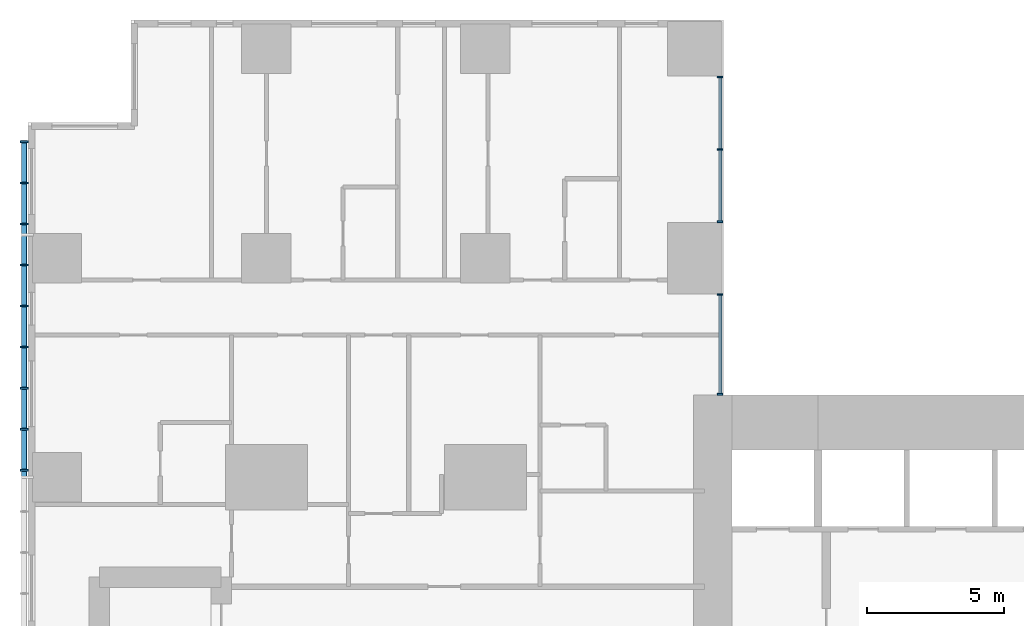
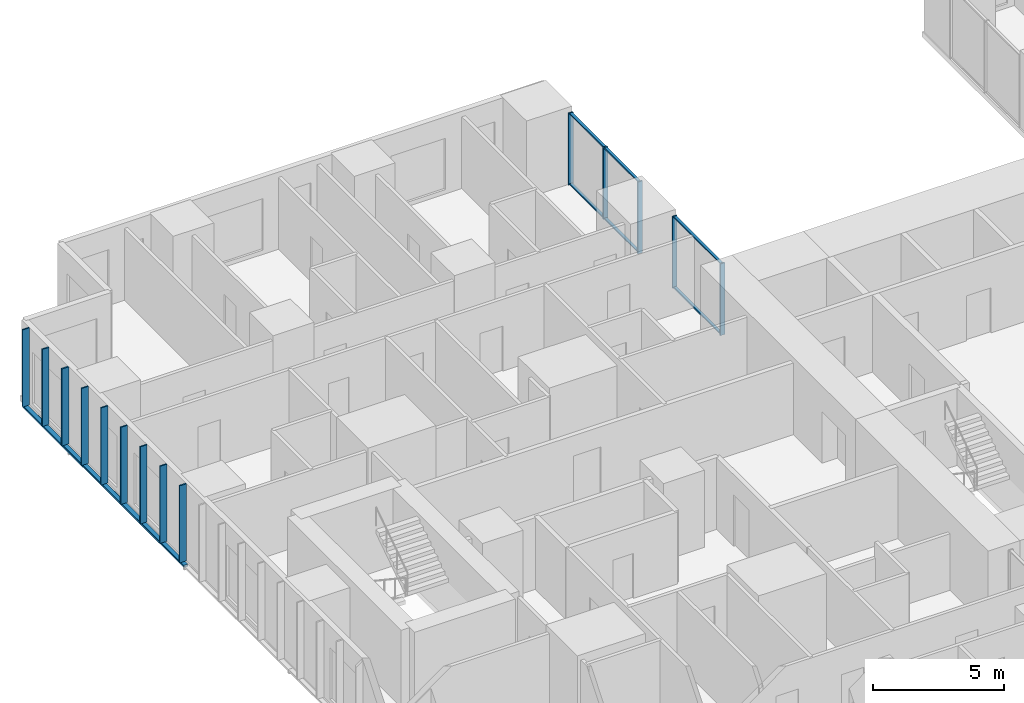
# One storey, part 4 of 20: 21 members, 2 elements without a shape of their own.
"""IFC4 building model written with IfcOpenShell, lengths in metres."""

from ifc_helpers import new_model, si_unit, direction, frame, origin, origin_2d, place, context, subcontext, project, spatial, rectangle, hollow_rectangle, extrude, material, layer, layer_set, material_profile, profile_set, type_object, element, aggregate, save


model = new_model("IFC4")

# Units and contexts
model_context = context("Model", 3, precision=1e-05, world=origin(), true_north=direction((0.0, 1.0)))
body_context = subcontext(model_context, "Body", "Model", "MODEL_VIEW")
ifc_project = project(units=[si_unit("LENGTHUNIT", "METRE"), si_unit("AREAUNIT", "SQUARE_METRE"), si_unit("VOLUMEUNIT", "CUBIC_METRE"), si_unit("PLANEANGLEUNIT", "RADIAN"), si_unit("MASSUNIT", "GRAM", prefix="KILO")], contexts=[model_context])

# Site, building, storey
site_placement = place(None, origin())
site = spatial("IfcSite", under=ifc_project, at=site_placement, CompositionType="ELEMENT")
building_placement = place(site_placement, origin())
building = spatial("IfcBuilding", under=site, at=building_placement, Name="Cleftline Residences", CompositionType="ELEMENT")
storey_placement = place(building_placement, frame((0.0, 0.0, 203.800048828125)))
storey = spatial("IfcBuildingStorey", under=building, at=storey_placement, Name="L53", CompositionType="ELEMENT", Elevation=203.800048828125)

# Member
ifc_material_1 = material(Name="Steel S355, hot-dip galvanised", Category="steel")
ifc_material_profile_1 = material_profile(ifc_material_1, hollow_rectangle(XDim=0.10009765625, YDim=0.199951171875, WallThickness=0.008056640625, InnerFilletRadius=0.008056640625, OuterFilletRadius=0.011962890625, at=origin_2d()))
ifc_profile_set_1 = profile_set([ifc_material_profile_1], Name="Steel S355, hot-dip galvanised")
member_type_1 = type_object("IfcMemberType", Name="BAGUETTE CARRIER RHS 200X100X8", PredefinedType="USERDEFINED", material=ifc_profile_set_1)
member_1_placement = place(storey_placement, frame((-0.85009765625, 44.300048828125, -0.050048828125), z_axis=(0.0, -1.0, 0.0), x_axis=(0.0, 0.0, 1.0)))
element("IfcMember", 1, at=member_1_placement, inside=storey, type_object=member_type_1, Name="Baguette carrier", ObjectType="BAGUETTE CARRIER", PredefinedType="USERDEFINED", context=body_context, shape_type="SweptSolid", body=[
    extrude(hollow_rectangle(XDim=0.10009765625, YDim=0.199951171875, WallThickness=0.008056640625, InnerFilletRadius=0.008056640625, OuterFilletRadius=0.011962890625, at=origin_2d()), origin(), (0.0, 0.0, 1.0), 12.300048828125),
])

# Curtain wall, members
ifc_material_2 = material(Name="Aluminium framed curtain wall", Category="aluminium")
ifc_layer = layer(ifc_material_2, 0.199951171875)
ifc_layer_set = layer_set([ifc_layer], Name="CW1 CLEFT GLAZING")
curtain_wall_type = type_object("IfcCurtainWallType", Name="CW1 CLEFT GLAZING", PredefinedType="NOTDEFINED", material=ifc_layer_set)
curtain_wall_1_placement = place(storey_placement, origin())
curtain_wall_1 = element("IfcCurtainWall", 2, at=curtain_wall_1_placement, inside=storey, type_object=curtain_wall_type, Name="Curtain wall CW1", PredefinedType="NOTDEFINED")
ifc_material_3 = material(Name="Aluminium mullion", Category="aluminium")
ifc_material_profile_2 = material_profile(ifc_material_3, rectangle(XDim=0.199951171875, YDim=0.06005859375, at=origin_2d()))
ifc_profile_set_2 = profile_set([ifc_material_profile_2], Name="Aluminium mullion")
member_type_2 = type_object("IfcMemberType", Name="CW1 MULLION", PredefinedType="MULLION", material=ifc_profile_set_2)
member_2_placement = place(storey_placement, frame((24.574951171875, 35.030029296875, 0.0), z_axis=(0.0, 0.0, 1.0), x_axis=(-1.0, 0.0, 0.0)))
member_2 = element("IfcMember", 3, at=member_2_placement, type_object=member_type_2, Name="CW1 mullion 1", PredefinedType="MULLION", context=body_context, shape_type="SweptSolid", body=[
    extrude(rectangle(XDim=0.199951171875, YDim=0.06005859375, at=origin_2d()), origin(), (0.0, 0.0, 1.0), 3.349853515625),
])
member_3_placement = place(storey_placement, frame((24.574951171875, 38.669921875, 0.0), z_axis=(0.0, 0.0, 1.0), x_axis=(-1.0, 0.0, 0.0)))
member_3 = element("IfcMember", 4, at=member_3_placement, type_object=member_type_2, Name="CW1 mullion 2", PredefinedType="MULLION", context=body_context, shape_type="SweptSolid", body=[
    extrude(rectangle(XDim=0.199951171875, YDim=0.06005859375, at=origin_2d()), origin(), (0.0, 0.0, 1.0), 3.349853515625),
])

curtain_wall_2_placement = place(storey_placement, origin())
curtain_wall_2 = element("IfcCurtainWall", 5, at=curtain_wall_2_placement, inside=storey, type_object=curtain_wall_type, Name="Curtain wall CW1", PredefinedType="NOTDEFINED")
member_4_placement = place(storey_placement, frame((24.574951171875, 41.330078125, 0.0), z_axis=(0.0, 0.0, 1.0), x_axis=(-1.0, 0.0, 0.0)))
member_4 = element("IfcMember", 6, at=member_4_placement, type_object=member_type_2, Name="CW1 mullion 1", PredefinedType="MULLION", context=body_context, shape_type="SweptSolid", body=[
    extrude(rectangle(XDim=0.199951171875, YDim=0.06005859375, at=origin_2d()), origin(), (0.0, 0.0, 1.0), 3.349853515625),
])
member_5_placement = place(storey_placement, frame((24.574951171875, 43.97509765625, 0.0), z_axis=(0.0, 0.0, 1.0), x_axis=(-1.0, 0.0, 0.0)))
member_5 = element("IfcMember", 7, at=member_5_placement, type_object=member_type_2, Name="CW1 mullion 2", PredefinedType="MULLION", context=body_context, shape_type="SweptSolid", body=[
    extrude(rectangle(XDim=0.199951171875, YDim=0.06005859375, at=origin_2d()), origin(), (0.0, 0.0, 1.0), 3.349853515625),
])
member_6_placement = place(storey_placement, frame((24.574951171875, 46.6201171875, 0.0), z_axis=(0.0, 0.0, 1.0), x_axis=(-1.0, 0.0, 0.0)))
member_6 = element("IfcMember", 8, at=member_6_placement, type_object=member_type_2, Name="CW1 mullion 3", PredefinedType="MULLION", context=body_context, shape_type="SweptSolid", body=[
    extrude(rectangle(XDim=0.199951171875, YDim=0.06005859375, at=origin_2d()), origin(), (0.0, 0.0, 1.0), 3.349853515625),
])

# Member
ifc_material_4 = material(Name="Aluminium transom", Category="aluminium")
ifc_material_profile_3 = material_profile(ifc_material_4, rectangle(XDim=0.1201171875, YDim=0.06005859375, at=origin_2d()))
ifc_profile_set_3 = profile_set([ifc_material_profile_3], Name="Aluminium transom")
member_type_3 = type_object("IfcMemberType", Name="CW1 TRANSOM", PredefinedType="USERDEFINED", material=ifc_profile_set_3)
member_7_placement = place(storey_placement, frame((24.574951171875, 35.06005859375, 0.030029296875), z_axis=(0.0, 1.0, 0.0), x_axis=(-1.0, 0.0, 0.0)))
member_7 = element("IfcMember", 9, at=member_7_placement, type_object=member_type_3, Name="CW1 transom 1.1", ObjectType="TRANSOM", PredefinedType="USERDEFINED", context=body_context, shape_type="SweptSolid", body=[
    extrude(rectangle(XDim=0.1201171875, YDim=0.06005859375, at=origin_2d()), origin(), (0.0, 0.0, 1.0), 3.579833984375),
])

member_8_placement = place(storey_placement, frame((24.574951171875, 35.06005859375, 3.320068359375), z_axis=(0.0, 1.0, 0.0), x_axis=(-1.0, 0.0, 0.0)))
member_8 = element("IfcMember", 10, at=member_8_placement, type_object=member_type_3, Name="CW1 transom 1.2", ObjectType="TRANSOM", PredefinedType="USERDEFINED", context=body_context, shape_type="SweptSolid", body=[
    extrude(rectangle(XDim=0.1201171875, YDim=0.06005859375, at=origin_2d()), origin(), (0.0, 0.0, 1.0), 3.579833984375),
])

aggregate(curtain_wall_1, [member_2, member_3, member_7, member_8])

member_9_placement = place(storey_placement, frame((24.574951171875, 41.360107421875, 0.030029296875), z_axis=(0.0, 1.0, 0.0), x_axis=(-1.0, 0.0, 0.0)))
member_9 = element("IfcMember", 11, at=member_9_placement, type_object=member_type_3, Name="CW1 transom 1.1", ObjectType="TRANSOM", PredefinedType="USERDEFINED", context=body_context, shape_type="SweptSolid", body=[
    extrude(rectangle(XDim=0.1201171875, YDim=0.06005859375, at=origin_2d()), origin(), (0.0, 0.0, 1.0), 2.5849609375),
])

member_10_placement = place(storey_placement, frame((24.574951171875, 41.360107421875, 3.320068359375), z_axis=(0.0, 1.0, 0.0), x_axis=(-1.0, 0.0, 0.0)))
member_10 = element("IfcMember", 12, at=member_10_placement, type_object=member_type_3, Name="CW1 transom 1.2", ObjectType="TRANSOM", PredefinedType="USERDEFINED", context=body_context, shape_type="SweptSolid", body=[
    extrude(rectangle(XDim=0.1201171875, YDim=0.06005859375, at=origin_2d()), origin(), (0.0, 0.0, 1.0), 2.5849609375),
])

member_11_placement = place(storey_placement, frame((24.574951171875, 44.0048828125, 0.030029296875), z_axis=(0.0, 1.0, 0.0), x_axis=(-1.0, 0.0, 0.0)))
member_11 = element("IfcMember", 13, at=member_11_placement, type_object=member_type_3, Name="CW1 transom 2.1", ObjectType="TRANSOM", PredefinedType="USERDEFINED", context=body_context, shape_type="SweptSolid", body=[
    extrude(rectangle(XDim=0.1201171875, YDim=0.06005859375, at=origin_2d()), origin(), (0.0, 0.0, 1.0), 2.585205078125),
])

member_12_placement = place(storey_placement, frame((24.574951171875, 44.0048828125, 3.320068359375), z_axis=(0.0, 1.0, 0.0), x_axis=(-1.0, 0.0, 0.0)))
member_12 = element("IfcMember", 14, at=member_12_placement, type_object=member_type_3, Name="CW1 transom 2.2", ObjectType="TRANSOM", PredefinedType="USERDEFINED", context=body_context, shape_type="SweptSolid", body=[
    extrude(rectangle(XDim=0.1201171875, YDim=0.06005859375, at=origin_2d()), origin(), (0.0, 0.0, 1.0), 2.585205078125),
])

aggregate(curtain_wall_2, [member_4, member_5, member_6, member_9, member_10, member_11, member_12])

# Members
ifc_material_5 = material(Name="Extruded terracotta", Category="masonry")
ifc_material_profile_4 = material_profile(ifc_material_5, rectangle(XDim=0.06005859375, YDim=0.300048828125, at=origin_2d()))
ifc_profile_set_4 = profile_set([ifc_material_profile_4], Name="Extruded terracotta")
member_type_4 = type_object("IfcMemberType", Name="TERRACOTTA BAGUETTE 60X300", PredefinedType="USERDEFINED", material=ifc_profile_set_4)
for number, where, z_axis, x_axis, name in (
    (15, (-0.85009765625, 44.25, 0.0), (0.0, 0.0, 1.0), (0.0, 1.0, 0.0), "Terracotta baguette"),
    (16, (-0.85009765625, 42.75, 0.0), (0.0, 0.0, 1.0), (0.0, 1.0, 0.0), "Terracotta baguette"),
    (17, (-0.85009765625, 41.25, 0.0), (0.0, 0.0, 1.0), (0.0, 1.0, 0.0), "Terracotta baguette"),
    (18, (-0.85009765625, 39.75, 0.0), (0.0, 0.0, 1.0), (0.0, 1.0, 0.0), "Terracotta baguette"),
    (19, (-0.85009765625, 38.25, 0.0), (0.0, 0.0, 1.0), (0.0, 1.0, 0.0), "Terracotta baguette"),
    (20, (-0.85009765625, 36.75, 0.0), (0.0, 0.0, 1.0), (0.0, 1.0, 0.0), "Terracotta baguette"),
    (21, (-0.85009765625, 35.25, 0.0), (0.0, 0.0, 1.0), (0.0, 1.0, 0.0), "Terracotta baguette"),
    (22, (-0.85009765625, 33.75, 0.0), (0.0, 0.0, 1.0), (0.0, 1.0, 0.0), "Terracotta baguette"),
    (23, (-0.85009765625, 32.25, 0.0), (0.0, 0.0, 1.0), (0.0, 1.0, 0.0), "Terracotta baguette"),
):
    element("IfcMember", number, at=place(storey_placement, frame(where, z_axis=z_axis, x_axis=x_axis)), inside=storey, type_object=member_type_4, Name=name, ObjectType="BAGUETTE", PredefinedType="USERDEFINED", context=body_context, shape_type="SweptSolid", body=[
        extrude(rectangle(XDim=0.06005859375, YDim=0.300048828125, at=origin_2d()), origin(), (0.0, 0.0, 1.0), 3.599853515625),
    ])

save(model, "model.ifc")
